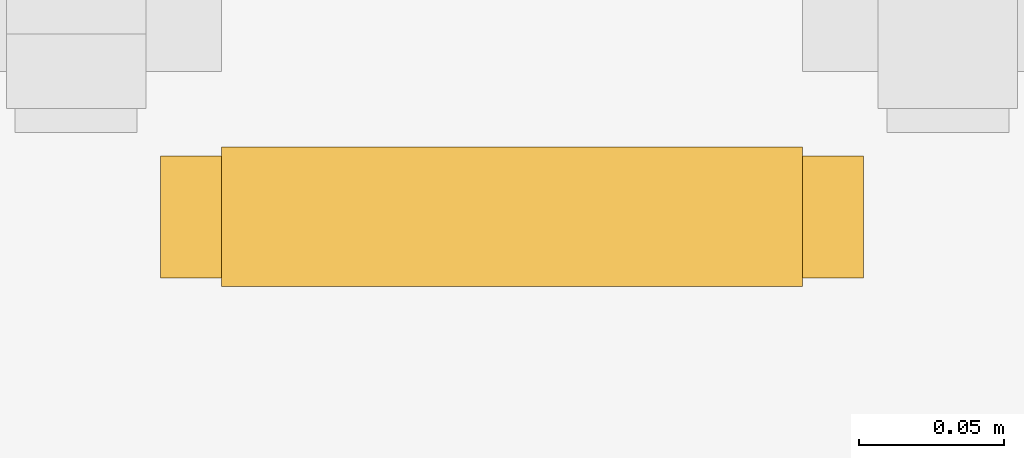
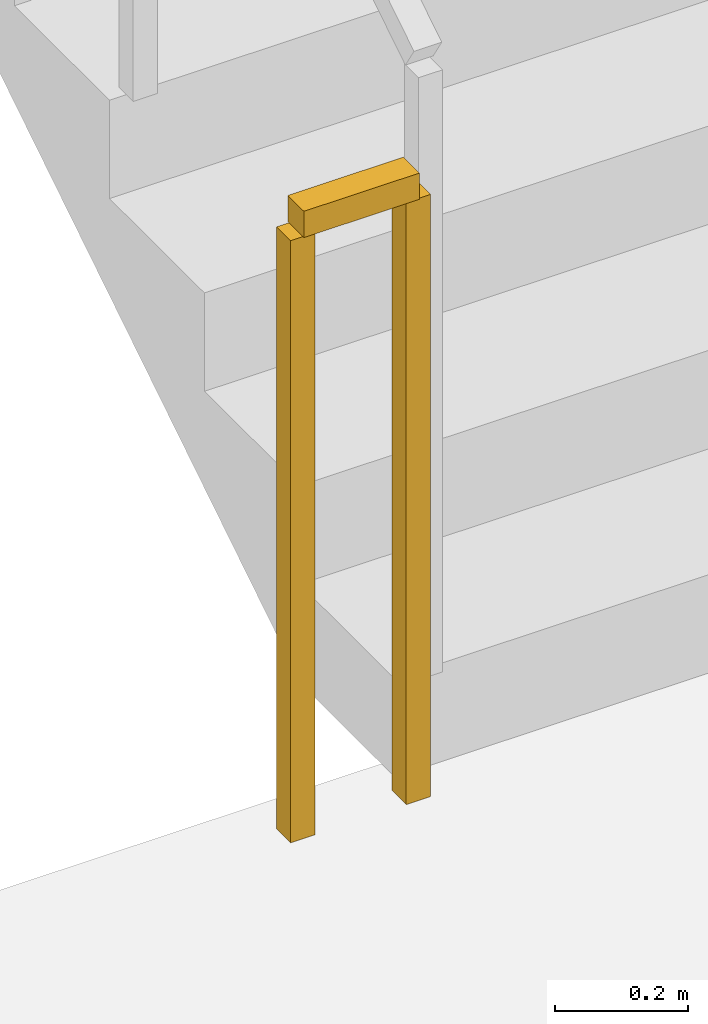
# One storey, part 22 of 24: 1 railing.
"""IFC4 building model written with IfcOpenShell, lengths in metres."""

from ifc_helpers import new_model, si_unit, direction, frame, origin, origin_2d, place, context, subcontext, project, spatial, rectangle, extrude, material, type_object, element, save


model = new_model("IFC4")

# Units and contexts
model_context = context("Model", 3, precision=1e-05, world=origin(), true_north=direction((0.0, 1.0)))
body_context = subcontext(model_context, "Body", "Model", "MODEL_VIEW")
ifc_project = project(units=[si_unit("LENGTHUNIT", "METRE"), si_unit("AREAUNIT", "SQUARE_METRE"), si_unit("VOLUMEUNIT", "CUBIC_METRE"), si_unit("PLANEANGLEUNIT", "RADIAN"), si_unit("MASSUNIT", "GRAM", prefix="KILO")], contexts=[model_context])

# Site, building, storey
site_placement = place(None, origin())
site = spatial("IfcSite", under=ifc_project, at=site_placement, CompositionType="ELEMENT")
building_placement = place(site_placement, origin())
building = spatial("IfcBuilding", under=site, at=building_placement, Name="Sarneth Arch Tower", CompositionType="ELEMENT")
storey_placement = place(building_placement, frame((0.0, 0.0, 98.39990234375)))
storey = spatial("IfcBuildingStorey", under=building, at=storey_placement, Name="L24", CompositionType="ELEMENT", Elevation=98.39990234375)

# Railing
ifc_material = material(Name="Painted Steel S275 stair well guard", Category="steel")
railing_type = type_object("IfcRailingType", Name="RAIL-STAIR-GUARD", PredefinedType="GUARDRAIL", material=ifc_material)
railing_placement = place(storey_placement, frame((39.050048828125, 41.39990234375, 0.0)))
element("IfcRailing", 1, at=railing_placement, inside=storey, type_object=railing_type, Name="L24 ST-1 stair guard 4", PredefinedType="GUARDRAIL", context=body_context, shape_type="SweptSolid", body=[
    extrude(rectangle(XDim=0.048095703125, YDim=0.048095703125, at=origin_2d()), frame((0.0, 0.0, 1.1259765625), z_axis=(-1.0, 0.0, 0.0), x_axis=(0.0, -1.0, 0.0)), (0.0, 0.0, 1.0), 0.199951171875),
    extrude(rectangle(XDim=0.0419921875, YDim=0.0419921875, at=origin_2d()), origin(), (0.0, 0.0, 1.0), 1.101806640625),
    extrude(rectangle(XDim=0.0419921875, YDim=0.0419921875, at=origin_2d()), frame((-0.199951171875, 0.0, 0.0)), (0.0, 0.0, 1.0), 1.101806640625),
])

save(model, "model.ifc")
